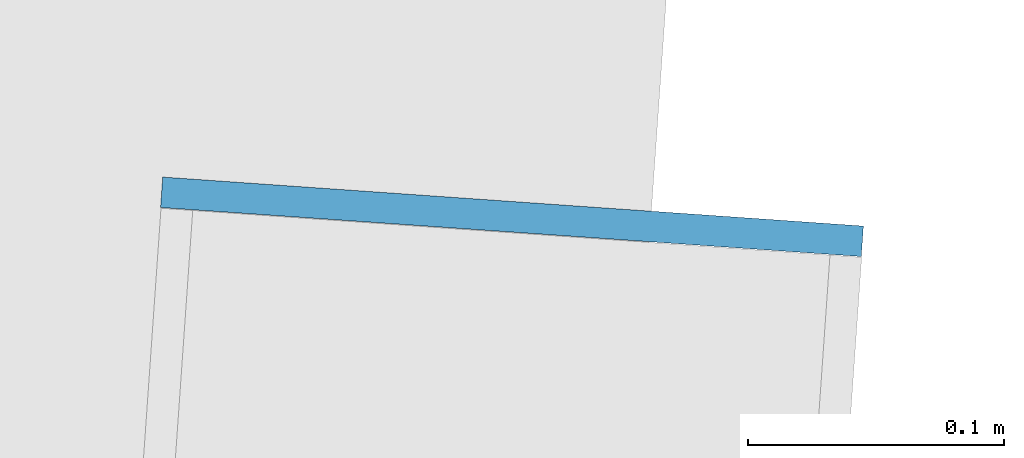
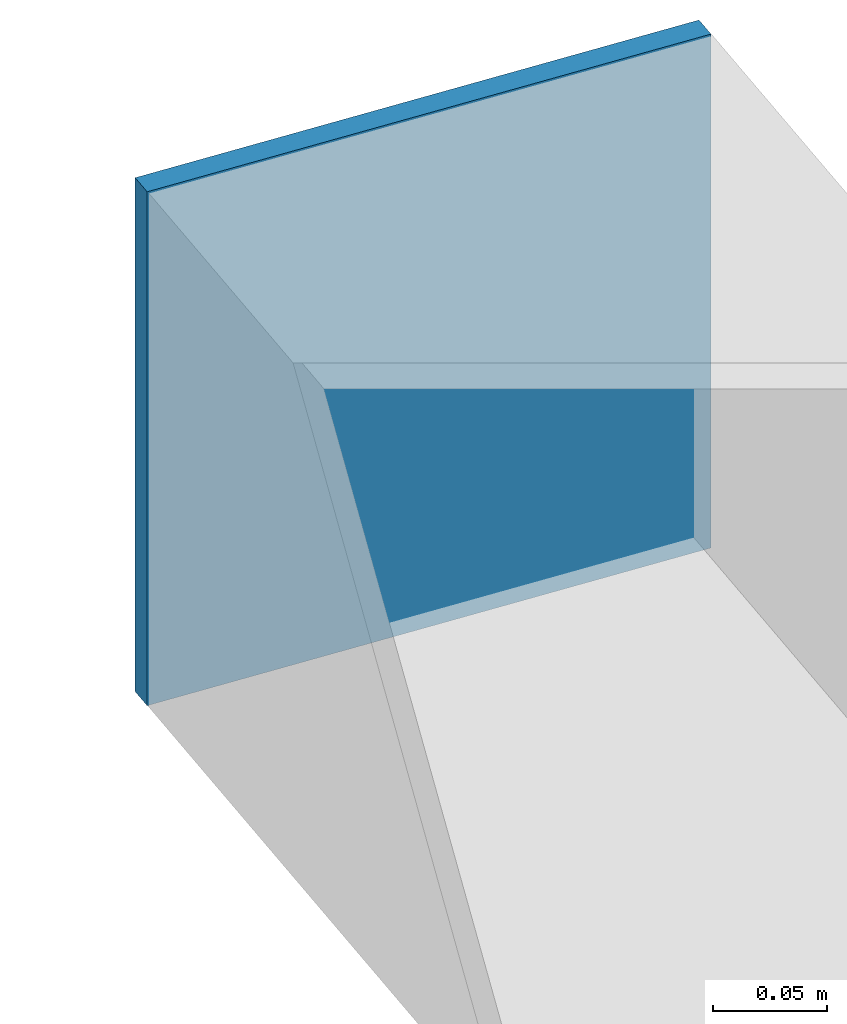
# One storey, part 34 of 39: 1 plate.
"""IFC4 building model written with IfcOpenShell, lengths in metres."""

from ifc_helpers import new_model, si_unit, direction, frame, origin, origin_2d, place, context, subcontext, project, spatial, rectangle, extrude, source, transform, mapped, material, layer, layer_set, type_object, element, save


model = new_model("IFC4")

# Units and contexts
model_context = context("Model", 3, precision=1e-05, world=origin(), true_north=direction((0.0, 1.0)))
body_context = subcontext(model_context, "Body", "Model", "MODEL_VIEW")
ifc_project = project(units=[si_unit("LENGTHUNIT", "METRE"), si_unit("AREAUNIT", "SQUARE_METRE"), si_unit("VOLUMEUNIT", "CUBIC_METRE"), si_unit("PLANEANGLEUNIT", "RADIAN"), si_unit("MASSUNIT", "GRAM", prefix="KILO")], contexts=[model_context])

# Site, building, storey
site_placement = place(None, origin())
site = spatial("IfcSite", under=ifc_project, at=site_placement, CompositionType="ELEMENT")
building_placement = place(site_placement, origin())
building = spatial("IfcBuilding", under=site, at=building_placement, Name="Taldren Reach Tower", CompositionType="ELEMENT")
storey_placement = place(building_placement, frame((0.0, 0.0, 129.85009765625)))
storey = spatial("IfcBuildingStorey", under=building, at=storey_placement, Name="L39", CompositionType="ELEMENT", Elevation=129.85009765625)

# Plate
ifc_material = material(Name="Steel Gr 450 (C450L0)", Category="steel")
ifc_layer = layer(ifc_material, 0.011962890625)
ifc_layer_set = layer_set([ifc_layer], Name="Steel Gr 450 (C450L0)")
plate_type = type_object("IfcPlateType", Name="PL-CAP-275", PredefinedType="SHEET", material=ifc_layer_set)
shared_shape = source(origin(), body_context, "Body", "SweptSolid", [
    extrude(rectangle(XDim=0.27490234375, YDim=0.011962890625, at=origin_2d()), origin(), (0.0, 0.0, 1.0), 0.27490234375),
])
plate_placement = place(storey_placement, frame((58.544921875, 36.413818359375, 2.512451171875), z_axis=(0.0, 0.0, 1.0), x_axis=(0.99756405026, -0.069756473744, 0.0)))
element("IfcPlate", 1, at=plate_placement, inside=storey, type_object=plate_type, Name="Tie strut end cap plate B3-N6 L39", PredefinedType="SHEET", context=body_context, shape_type="MappedRepresentation", body=[
    mapped(shared_shape, transform((0.0, 0.0, 0.0), scale=1.0)),
])

save(model, "model.ifc")
